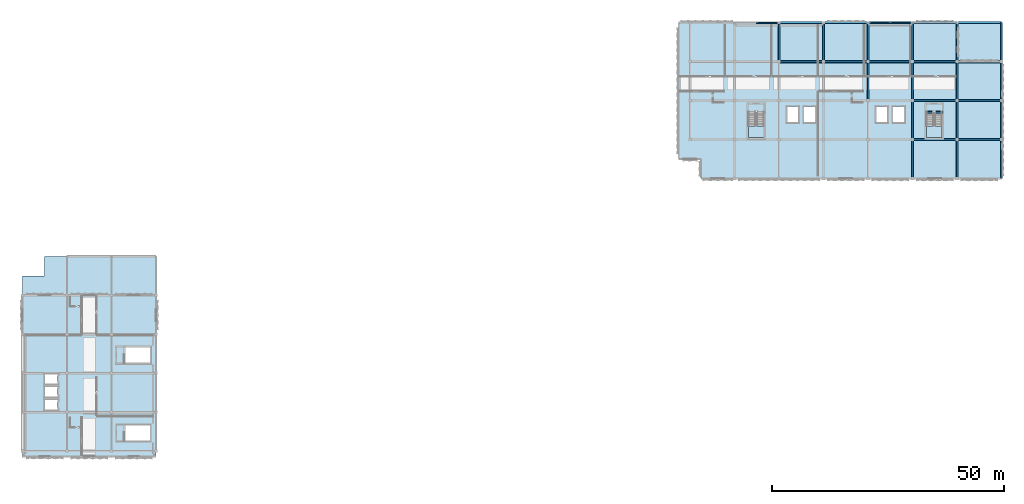
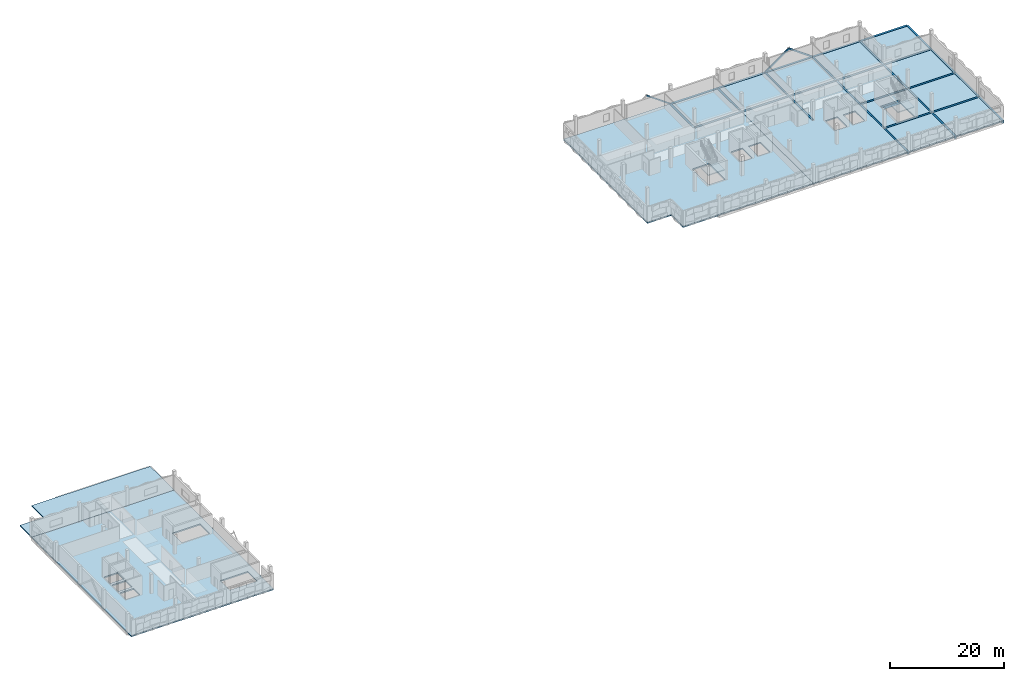
# One storey, part 4 of 18: 31 beams, 7 slabs, 3 members, 3 elements without a shape of their own.
"""IFC4 building model written with IfcOpenShell, lengths in metres."""

from ifc_helpers import new_model, si_unit, direction, frame, origin, origin_2d, place, context, subcontext, project, spatial, polyline, rectangle, hollow_rectangle, outline, extrude, material, layer, layer_set, material_profile, profile_set, type_object, element, aggregate, save


model = new_model("IFC4")

# Units and contexts
model_context = context("Model", 3, precision=1e-05, world=origin(), true_north=direction((0.0, 1.0)))
body_context = subcontext(model_context, "Body", "Model", "MODEL_VIEW")
ifc_project = project(units=[si_unit("LENGTHUNIT", "METRE"), si_unit("AREAUNIT", "SQUARE_METRE"), si_unit("VOLUMEUNIT", "CUBIC_METRE"), si_unit("PLANEANGLEUNIT", "RADIAN"), si_unit("MASSUNIT", "GRAM", prefix="KILO")], contexts=[model_context])

# Site, building, storey
site_placement = place(None, origin())
site = spatial("IfcSite", under=ifc_project, at=site_placement, CompositionType="ELEMENT")
building_placement = place(site_placement, origin())
building = spatial("IfcBuilding", under=site, at=building_placement, Name="Oolite Switchyard Hospital", CompositionType="ELEMENT")
storey_placement = place(building_placement, frame((0.0, 0.0, 26.199951171875)))
storey = spatial("IfcBuildingStorey", under=building, at=storey_placement, Name="L06", CompositionType="ELEMENT", Elevation=26.199951171875)

# Beams
ifc_material_1 = material(Name="Concrete C40/50", Category="concrete")
ifc_material_profile_1 = material_profile(ifc_material_1, rectangle(XDim=0.35009765625, YDim=0.550048828125, at=origin_2d()), Name="RCB350X550")
ifc_profile_set_1 = profile_set([ifc_material_profile_1], Name="Concrete C40/50")
beam_type_1 = type_object("IfcBeamType", Name="BM-RC350X550", PredefinedType="BEAM", material=ifc_profile_set_1)
for number, where, z_axis, x_axis, name in (
    (1, (163.199951171875, 126.0, -0.27490234375), (0.0, 1.0, 0.0), (-1.0, 0.0, 0.0), "L06 Y-Girder 3827"),
    (2, (172.800048828125, 126.0, -0.27490234375), (0.0, 1.0, 0.0), (-1.0, 0.0, 0.0), "L06 Y-Girder 3831"),
    (3, (182.39990234375, 117.60009765625, -0.27490234375), (0.0, 1.0, 0.0), (-1.0, 0.0, 0.0), "L06 Y-Girder 3834"),
    (4, (182.39990234375, 126.0, -0.27490234375), (0.0, 1.0, 0.0), (-1.0, 0.0, 0.0), "L06 Y-Girder 3835"),
    (5, (192.0, 100.800048828125, -0.27490234375), (0.0, 1.0, 0.0), (-1.0, 0.0, 0.0), "L06 Y-Girder 3836"),
):
    element("IfcBeam", number, at=place(storey_placement, frame(where, z_axis=z_axis, x_axis=x_axis)), inside=storey, type_object=beam_type_1, Name=name, PredefinedType="BEAM", context=body_context, shape_type="SweptSolid", body=[
        extrude(rectangle(XDim=0.35009765625, YDim=0.550048828125, at=origin_2d()), origin(), (0.0, 0.0, 1.0), 8.39990234375),
    ])
beam_1_placement = place(storey_placement, frame((192.0, 109.199951171875, -0.27490234375), z_axis=(0.0, 1.0, 0.0), x_axis=(-1.0, 0.0, 0.0)))
element("IfcBeam", 6, at=beam_1_placement, inside=storey, type_object=beam_type_1, Name="L06 Y-Girder 3837", PredefinedType="BEAM", context=body_context, shape_type="SweptSolid", body=[
    extrude(rectangle(XDim=0.35009765625, YDim=0.550048828125, at=origin_2d()), origin(), (0.0, 0.0, 1.0), 8.400146484375),
])
for number, where, z_axis, x_axis, name in (
    (7, (192.0, 117.60009765625, -0.27490234375), (0.0, 1.0, 0.0), (-1.0, 0.0, 0.0), "L06 Y-Girder 3838"),
    (8, (192.0, 126.0, -0.27490234375), (0.0, 1.0, 0.0), (-1.0, 0.0, 0.0), "L06 Y-Girder 3839"),
    (9, (201.60009765625, 100.800048828125, -0.27490234375), (0.0, 1.0, 0.0), (-1.0, 0.0, 0.0), "L06 Y-Girder 3840"),
):
    element("IfcBeam", number, at=place(storey_placement, frame(where, z_axis=z_axis, x_axis=x_axis)), inside=storey, type_object=beam_type_1, Name=name, PredefinedType="BEAM", context=body_context, shape_type="SweptSolid", body=[
        extrude(rectangle(XDim=0.35009765625, YDim=0.550048828125, at=origin_2d()), origin(), (0.0, 0.0, 1.0), 8.39990234375),
    ])
beam_2_placement = place(storey_placement, frame((201.60009765625, 109.199951171875, -0.27490234375), z_axis=(0.0, 1.0, 0.0), x_axis=(-1.0, 0.0, 0.0)))
element("IfcBeam", 10, at=beam_2_placement, inside=storey, type_object=beam_type_1, Name="L06 Y-Girder 3841", PredefinedType="BEAM", context=body_context, shape_type="SweptSolid", body=[
    extrude(rectangle(XDim=0.35009765625, YDim=0.550048828125, at=origin_2d()), origin(), (0.0, 0.0, 1.0), 8.400146484375),
])
for number, where, z_axis, x_axis, name in (
    (11, (201.60009765625, 117.60009765625, -0.27490234375), (0.0, 1.0, 0.0), (-1.0, 0.0, 0.0), "L06 Y-Girder 3842"),
    (12, (201.60009765625, 126.0, -0.27490234375), (0.0, 1.0, 0.0), (-1.0, 0.0, 0.0), "L06 Y-Girder 3843"),
):
    element("IfcBeam", number, at=place(storey_placement, frame(where, z_axis=z_axis, x_axis=x_axis)), inside=storey, type_object=beam_type_1, Name=name, PredefinedType="BEAM", context=body_context, shape_type="SweptSolid", body=[
        extrude(rectangle(XDim=0.35009765625, YDim=0.550048828125, at=origin_2d()), origin(), (0.0, 0.0, 1.0), 8.39990234375),
    ])
ifc_material_profile_2 = material_profile(ifc_material_1, rectangle(XDim=0.39990234375, YDim=0.60009765625, at=origin_2d()), Name="RCB400X600")
ifc_profile_set_2 = profile_set([ifc_material_profile_2], Name="Concrete C40/50")
beam_type_2 = type_object("IfcBeamType", Name="BM-RC400X600", PredefinedType="BEAM", material=ifc_profile_set_2)
beam_3_placement = place(storey_placement, frame((192.0, 109.199951171875, -0.300048828125), z_axis=(1.0, 0.0, 0.0), x_axis=(0.0, 1.0, 0.0)))
element("IfcBeam", 13, at=beam_3_placement, inside=storey, type_object=beam_type_2, Name="L06 X-Girder 3775", PredefinedType="BEAM", context=body_context, shape_type="SweptSolid", body=[
    extrude(rectangle(XDim=0.39990234375, YDim=0.60009765625, at=origin_2d()), origin(), (0.0, 0.0, 1.0), 9.60009765625),
])
beam_4_placement = place(storey_placement, frame((201.60009765625, 109.199951171875, -0.300048828125), z_axis=(1.0, 0.0, 0.0), x_axis=(0.0, 1.0, 0.0)))
element("IfcBeam", 14, at=beam_4_placement, inside=storey, type_object=beam_type_2, Name="L06 X-Girder 3776", PredefinedType="BEAM", context=body_context, shape_type="SweptSolid", body=[
    extrude(rectangle(XDim=0.39990234375, YDim=0.60009765625, at=origin_2d()), origin(), (0.0, 0.0, 1.0), 9.599853515625),
])
beam_5_placement = place(storey_placement, frame((192.0, 117.60009765625, -0.300048828125), z_axis=(1.0, 0.0, 0.0), x_axis=(0.0, 1.0, 0.0)))
element("IfcBeam", 15, at=beam_5_placement, inside=storey, type_object=beam_type_2, Name="L06 X-Girder 3782", PredefinedType="BEAM", context=body_context, shape_type="SweptSolid", body=[
    extrude(rectangle(XDim=0.39990234375, YDim=0.60009765625, at=origin_2d()), origin(), (0.0, 0.0, 1.0), 9.60009765625),
])
beam_6_placement = place(storey_placement, frame((201.60009765625, 117.60009765625, -0.300048828125), z_axis=(1.0, 0.0, 0.0), x_axis=(0.0, 1.0, 0.0)))
element("IfcBeam", 16, at=beam_6_placement, inside=storey, type_object=beam_type_2, Name="L06 X-Girder 3783", PredefinedType="BEAM", context=body_context, shape_type="SweptSolid", body=[
    extrude(rectangle(XDim=0.39990234375, YDim=0.60009765625, at=origin_2d()), origin(), (0.0, 0.0, 1.0), 9.599853515625),
])
beam_7_placement = place(storey_placement, frame((163.199951171875, 126.0, -0.300048828125), z_axis=(1.0, 0.0, 0.0), x_axis=(0.0, 1.0, 0.0)))
element("IfcBeam", 17, at=beam_7_placement, inside=storey, type_object=beam_type_2, Name="L06 X-Girder 3786", PredefinedType="BEAM", context=body_context, shape_type="SweptSolid", body=[
    extrude(rectangle(XDim=0.39990234375, YDim=0.60009765625, at=origin_2d()), origin(), (0.0, 0.0, 1.0), 9.60009765625),
])
beam_8_placement = place(storey_placement, frame((172.800048828125, 126.0, -0.300048828125), z_axis=(1.0, 0.0, 0.0), x_axis=(0.0, 1.0, 0.0)))
element("IfcBeam", 18, at=beam_8_placement, inside=storey, type_object=beam_type_2, Name="L06 X-Girder 3787", PredefinedType="BEAM", context=body_context, shape_type="SweptSolid", body=[
    extrude(rectangle(XDim=0.39990234375, YDim=0.60009765625, at=origin_2d()), origin(), (0.0, 0.0, 1.0), 9.599853515625),
])
for number, where, z_axis, x_axis, name in (
    (19, (182.39990234375, 126.0, -0.300048828125), (1.0, 0.0, 0.0), (0.0, 1.0, 0.0), "L06 X-Girder 3788"),
    (20, (192.0, 126.0, -0.300048828125), (1.0, 0.0, 0.0), (0.0, 1.0, 0.0), "L06 X-Girder 3789"),
):
    element("IfcBeam", number, at=place(storey_placement, frame(where, z_axis=z_axis, x_axis=x_axis)), inside=storey, type_object=beam_type_2, Name=name, PredefinedType="BEAM", context=body_context, shape_type="SweptSolid", body=[
        extrude(rectangle(XDim=0.39990234375, YDim=0.60009765625, at=origin_2d()), origin(), (0.0, 0.0, 1.0), 9.60009765625),
    ])
beam_9_placement = place(storey_placement, frame((201.60009765625, 126.0, -0.300048828125), z_axis=(1.0, 0.0, 0.0), x_axis=(0.0, 1.0, 0.0)))
element("IfcBeam", 21, at=beam_9_placement, inside=storey, type_object=beam_type_2, Name="L06 X-Girder 3790", PredefinedType="BEAM", context=body_context, shape_type="SweptSolid", body=[
    extrude(rectangle(XDim=0.39990234375, YDim=0.60009765625, at=origin_2d()), origin(), (0.0, 0.0, 1.0), 9.599853515625),
])
beam_10_placement = place(storey_placement, frame((211.199951171875, 100.800048828125, -0.300048828125), z_axis=(0.0, 1.0, 0.0), x_axis=(-1.0, 0.0, 0.0)))
element("IfcBeam", 22, at=beam_10_placement, inside=storey, type_object=beam_type_2, Name="L06 Y-Girder 3844", PredefinedType="BEAM", context=body_context, shape_type="SweptSolid", body=[
    extrude(rectangle(XDim=0.39990234375, YDim=0.60009765625, at=origin_2d()), origin(), (0.0, 0.0, 1.0), 8.39990234375),
])
beam_11_placement = place(storey_placement, frame((211.199951171875, 109.199951171875, -0.300048828125), z_axis=(0.0, 1.0, 0.0), x_axis=(-1.0, 0.0, 0.0)))
element("IfcBeam", 23, at=beam_11_placement, inside=storey, type_object=beam_type_2, Name="L06 Y-Girder 3845", PredefinedType="BEAM", context=body_context, shape_type="SweptSolid", body=[
    extrude(rectangle(XDim=0.39990234375, YDim=0.60009765625, at=origin_2d()), origin(), (0.0, 0.0, 1.0), 8.400146484375),
])
for number, where, z_axis, x_axis, name in (
    (24, (211.199951171875, 117.60009765625, -0.300048828125), (0.0, 1.0, 0.0), (-1.0, 0.0, 0.0), "L06 Y-Girder 3846"),
    (25, (211.199951171875, 126.0, -0.300048828125), (0.0, 1.0, 0.0), (-1.0, 0.0, 0.0), "L06 Y-Girder 3847"),
):
    element("IfcBeam", number, at=place(storey_placement, frame(where, z_axis=z_axis, x_axis=x_axis)), inside=storey, type_object=beam_type_2, Name=name, PredefinedType="BEAM", context=body_context, shape_type="SweptSolid", body=[
        extrude(rectangle(XDim=0.39990234375, YDim=0.60009765625, at=origin_2d()), origin(), (0.0, 0.0, 1.0), 8.39990234375),
    ])
beam_12_placement = place(storey_placement, frame((194.77490234375, 115.110107421875, -0.300048828125), z_axis=(1.0, 0.0, 0.0), x_axis=(0.0, 1.0, 0.0)))
element("IfcBeam", 26, at=beam_12_placement, inside=storey, type_object=beam_type_2, Name="L06 ST-04 Stair Throat Trimmer Beam", PredefinedType="BEAM", context=body_context, shape_type="SweptSolid", body=[
    extrude(rectangle(XDim=0.39990234375, YDim=0.60009765625, at=origin_2d()), origin(), (0.0, 0.0, 1.0), 3.81005859375),
])
ifc_material_profile_3 = material_profile(ifc_material_1, rectangle(XDim=0.449951171875, YDim=0.75, at=origin_2d()), Name="RCB450X750")
ifc_profile_set_3 = profile_set([ifc_material_profile_3], Name="Concrete C40/50")
beam_type_3 = type_object("IfcBeamType", Name="BM-RC450X750", PredefinedType="BEAM", material=ifc_profile_set_3)
beam_13_placement = place(storey_placement, frame((163.199951171875, 134.39990234375, -0.375), z_axis=(1.0, 0.0, 0.0), x_axis=(0.0, 1.0, 0.0)))
element("IfcBeam", 27, at=beam_13_placement, inside=storey, type_object=beam_type_3, Name="L06 X-Girder 3793", PredefinedType="BEAM", context=body_context, shape_type="SweptSolid", body=[
    extrude(rectangle(XDim=0.449951171875, YDim=0.75, at=origin_2d()), origin(), (0.0, 0.0, 1.0), 9.60009765625),
])
beam_14_placement = place(storey_placement, frame((172.800048828125, 134.39990234375, -0.375), z_axis=(1.0, 0.0, 0.0), x_axis=(0.0, 1.0, 0.0)))
element("IfcBeam", 28, at=beam_14_placement, inside=storey, type_object=beam_type_3, Name="L06 X-Girder 3794", PredefinedType="BEAM", context=body_context, shape_type="SweptSolid", body=[
    extrude(rectangle(XDim=0.449951171875, YDim=0.75, at=origin_2d()), origin(), (0.0, 0.0, 1.0), 9.599853515625),
])
for number, where, z_axis, x_axis, name in (
    (29, (182.39990234375, 134.39990234375, -0.375), (1.0, 0.0, 0.0), (0.0, 1.0, 0.0), "L06 X-Girder 3795"),
    (30, (192.0, 134.39990234375, -0.375), (1.0, 0.0, 0.0), (0.0, 1.0, 0.0), "L06 X-Girder 3796"),
):
    element("IfcBeam", number, at=place(storey_placement, frame(where, z_axis=z_axis, x_axis=x_axis)), inside=storey, type_object=beam_type_3, Name=name, PredefinedType="BEAM", context=body_context, shape_type="SweptSolid", body=[
        extrude(rectangle(XDim=0.449951171875, YDim=0.75, at=origin_2d()), origin(), (0.0, 0.0, 1.0), 9.60009765625),
    ])
beam_15_placement = place(storey_placement, frame((201.60009765625, 134.39990234375, -0.375), z_axis=(1.0, 0.0, 0.0), x_axis=(0.0, 1.0, 0.0)))
element("IfcBeam", 31, at=beam_15_placement, inside=storey, type_object=beam_type_3, Name="L06 X-Girder 3797", PredefinedType="BEAM", context=body_context, shape_type="SweptSolid", body=[
    extrude(rectangle(XDim=0.449951171875, YDim=0.75, at=origin_2d()), origin(), (0.0, 0.0, 1.0), 9.599853515625),
])

# Members
ifc_material_2 = material(Name="Steel ASTM A500 Grade C", Category="steel")
ifc_material_profile_4 = material_profile(ifc_material_2, hollow_rectangle(XDim=0.152099609375, YDim=0.25390625, WallThickness=0.012939453125, at=origin_2d()), Name="HSS254X152X13")
ifc_profile_set_4 = profile_set([ifc_material_profile_4], Name="Steel ASTM A500 Grade C")
member_type_1 = type_object("IfcMemberType", Name="MEM-BR-RHS254", PredefinedType="BRACE", material=ifc_profile_set_4)
member_placement = place(storey_placement, frame((163.199951171875, 134.39990234375, 0.02001953125), z_axis=(-0.813627204479, 0.0, 0.581386938392), x_axis=(0.0, -1.0, 0.0)))
element("IfcMember", 32, at=member_placement, inside=storey, type_object=member_type_1, Name="L06 Chevron Brace 42", PredefinedType="BRACE", context=body_context, shape_type="SweptSolid", body=[
    extrude(hollow_rectangle(XDim=0.152099609375, YDim=0.25390625, WallThickness=0.012939453125, at=origin_2d()), origin(), (0.0, 0.0, 1.0), 5.899658203125),
])
ifc_material_profile_5 = material_profile(ifc_material_2, hollow_rectangle(XDim=0.202880859375, YDim=0.304931640625, WallThickness=0.012939453125, at=origin_2d()), Name="HSS305X203X13")
ifc_profile_set_5 = profile_set([ifc_material_profile_5], Name="Steel ASTM A500 Grade C")
member_type_2 = type_object("IfcMemberType", Name="MEM-BR-RHS305", PredefinedType="BRACE", material=ifc_profile_set_5)
for number, where, z_axis, x_axis, name in (
    (33, (182.39990234375, 134.39990234375, 0.02001953125), (0.813627204479, 0.0, 0.581386938392), (0.0, 1.0, 0.0), "L06 Chevron Brace 57"),
    (34, (192.0, 134.39990234375, 0.02001953125), (-0.813627204479, 0.0, 0.581386938392), (0.0, -1.0, 0.0), "L06 Chevron Brace 58"),
):
    element("IfcMember", number, at=place(storey_placement, frame(where, z_axis=z_axis, x_axis=x_axis)), inside=storey, type_object=member_type_2, Name=name, PredefinedType="BRACE", context=body_context, shape_type="SweptSolid", body=[
        extrude(hollow_rectangle(XDim=0.202880859375, YDim=0.304931640625, WallThickness=0.012939453125, at=origin_2d()), origin(), (0.0, 0.0, 1.0), 5.899658203125),
    ])

# Slabs
ifc_layer_1 = layer(ifc_material_1, 0.27490234375)
ifc_layer_set_1 = layer_set([ifc_layer_1], Name="SLB-FLR-275")
slab_type_1 = type_object("IfcSlabType", Name="SLB-FLR-275", PredefinedType="FLOOR", material=ifc_layer_set_1)
slab_1_placement = place(storey_placement, frame((0.0, 0.0, -0.27490234375)))
element("IfcSlab", 35, at=slab_1_placement, inside=storey, type_object=slab_type_1, Name="L06 V5W Slab V5W", PredefinedType="FLOOR", context=body_context, shape_type="SweptSolid", body=[
    extrude(outline(polyline([(0.0, 40.800048828125), (28.800048828125, 40.800048828125), (28.800048828125, 75.60009765625), (0.0, 75.60009765625), (0.0, 40.800048828125)]), holes=[polyline([(21.9599609375, 44.199951171875), (27.550048828125, 44.199951171875), (27.550048828125, 47.56005859375), (21.9599609375, 47.56005859375), (21.9599609375, 44.199951171875)]), polyline([(21.9599609375, 61.0), (27.550048828125, 61.0), (27.550048828125, 64.360107421875), (21.9599609375, 64.360107421875), (21.9599609375, 61.0)]), polyline([(4.800048828125, 50.89990234375), (7.60009765625, 50.89990234375), (7.60009765625, 53.10009765625), (4.800048828125, 53.10009765625), (4.800048828125, 50.89990234375)]), polyline([(4.800048828125, 53.699951171875), (7.60009765625, 53.699951171875), (7.60009765625, 55.89990234375), (4.800048828125, 55.89990234375), (4.800048828125, 53.699951171875)]), polyline([(4.800048828125, 56.5), (7.60009765625, 56.5), (7.60009765625, 58.699951171875), (4.800048828125, 58.699951171875), (4.800048828125, 56.5)])]), origin(), (0.0, 0.0, 1.0), 0.27490234375),
])
slab_2_placement = place(storey_placement, frame((0.0, 0.0, -0.27490234375)))
element("IfcSlab", 36, at=slab_2_placement, inside=storey, type_object=slab_type_1, Name="L06 V5E Slab V5E1", PredefinedType="FLOOR", context=body_context, shape_type="SweptSolid", body=[
    extrude(outline(polyline([(146.39990234375, 100.800048828125), (172.800048828125, 100.800048828125), (172.800048828125, 134.39990234375), (141.60009765625, 134.39990234375), (141.60009765625, 105.0), (146.39990234375, 105.0), (146.39990234375, 100.800048828125)]), holes=[polyline([(156.60009765625, 115.18994140625), (156.60009765625, 109.60009765625), (159.9599609375, 109.60009765625), (159.9599609375, 115.18994140625), (156.60009765625, 115.18994140625)]), polyline([(165.0, 112.89990234375), (167.39990234375, 112.89990234375), (167.39990234375, 116.300048828125), (165.0, 116.300048828125), (165.0, 112.89990234375)]), polyline([(168.60009765625, 112.89990234375), (171.0, 112.89990234375), (171.0, 116.300048828125), (168.60009765625, 116.300048828125), (168.60009765625, 112.89990234375)])]), origin(), (0.0, 0.0, 1.0), 0.27490234375),
])
slab_3_placement = place(storey_placement, frame((0.0, 0.0, -0.27490234375)))
element("IfcSlab", 37, at=slab_3_placement, inside=storey, type_object=slab_type_1, Name="L06 V5E Slab V5E2", PredefinedType="FLOOR", context=body_context, shape_type="SweptSolid", body=[
    extrude(outline(polyline([(172.800048828125, 100.800048828125), (211.199951171875, 100.800048828125), (211.199951171875, 126.0), (201.60009765625, 126.0), (201.60009765625, 134.39990234375), (172.800048828125, 134.39990234375), (172.800048828125, 100.800048828125)]), holes=[polyline([(195.0, 115.18994140625), (195.0, 109.60009765625), (198.360107421875, 109.60009765625), (198.360107421875, 115.18994140625), (195.0, 115.18994140625)]), polyline([(184.199951171875, 112.89990234375), (186.60009765625, 112.89990234375), (186.60009765625, 116.300048828125), (184.199951171875, 116.300048828125), (184.199951171875, 112.89990234375)]), polyline([(187.800048828125, 112.89990234375), (190.199951171875, 112.89990234375), (190.199951171875, 116.300048828125), (187.800048828125, 116.300048828125), (187.800048828125, 112.89990234375)])]), origin(), (0.0, 0.0, 1.0), 0.27490234375),
])

# Stair, slab
stair_type = type_object("IfcStairType", Name="STR-DL-156-R24", PredefinedType="HALF_TURN_STAIR", material=ifc_material_1)
stair_1_placement = place(storey_placement, origin())
stair_1 = element("IfcStair", 38, at=stair_1_placement, inside=storey, type_object=stair_type, Name="L06 Exit Stair ST-03", PredefinedType="HALF_TURN_STAIR")
ifc_layer_2 = layer(ifc_material_1, 0.199951171875)
ifc_layer_set_2 = layer_set([ifc_layer_2], Name="SLB-LND-200")
slab_type_2 = type_object("IfcSlabType", Name="SLB-LND-200", PredefinedType="LANDING", material=ifc_layer_set_2)
slab_4_placement = place(storey_placement, frame((0.0, 0.0, 1.900146484375)))
slab_4 = element("IfcSlab", 39, at=slab_4_placement, type_object=slab_type_2, Name="ST-03 landing 1", PredefinedType="LANDING", context=body_context, shape_type="SweptSolid", body=[
    extrude(outline(polyline([(156.60009765625, 112.110107421875), (156.60009765625, 109.60009765625), (159.9599609375, 109.60009765625), (159.9599609375, 112.110107421875), (156.60009765625, 112.110107421875)])), origin(), (0.0, 0.0, 1.0), 0.199951171875),
])
aggregate(stair_1, [slab_4])

stair_2_placement = place(storey_placement, origin())
stair_2 = element("IfcStair", 40, at=stair_2_placement, inside=storey, type_object=stair_type, Name="L06 Exit Stair ST-04", PredefinedType="HALF_TURN_STAIR")
slab_5_placement = place(storey_placement, frame((0.0, 0.0, 1.900146484375)))
slab_5 = element("IfcSlab", 41, at=slab_5_placement, type_object=slab_type_2, Name="ST-04 landing 1", PredefinedType="LANDING", context=body_context, shape_type="SweptSolid", body=[
    extrude(outline(polyline([(195.0, 112.110107421875), (195.0, 109.60009765625), (198.360107421875, 109.60009765625), (198.360107421875, 112.110107421875), (195.0, 112.110107421875)])), origin(), (0.0, 0.0, 1.0), 0.199951171875),
])
aggregate(stair_2, [slab_5])

# Roof, slabs
roof_type = type_object("IfcRoofType", Name="ROOF-FLAT", PredefinedType="FLAT_ROOF", material=ifc_material_1)
roof_placement = place(storey_placement, origin())
roof = element("IfcRoof", 42, at=roof_placement, inside=storey, type_object=roof_type, Name="L06 Flat Cool Roof Assembly", PredefinedType="FLAT_ROOF")
ifc_layer_3 = layer(ifc_material_1, 0.219970703125)
ifc_layer_set_3 = layer_set([ifc_layer_3], Name="SLB-ROOF-220")
slab_type_3 = type_object("IfcSlabType", Name="SLB-ROOF-220", PredefinedType="ROOF", material=ifc_layer_set_3)
slab_6_placement = place(storey_placement, frame((0.0, 0.0, -0.219970703125)))
slab_6 = element("IfcSlab", 43, at=slab_6_placement, type_object=slab_type_3, Name="L06 V5W Slab V5WNR", PredefinedType="ROOF", context=body_context, shape_type="SweptSolid", body=[
    extrude(outline(polyline([(0.0, 75.60009765625), (28.800048828125, 75.60009765625), (28.800048828125, 84.0), (4.800048828125, 84.0), (4.800048828125, 79.800048828125), (0.0, 79.800048828125), (0.0, 75.60009765625)])), origin(), (0.0, 0.0, 1.0), 0.219970703125),
])
slab_7_placement = place(storey_placement, frame((0.0, 0.0, -0.219970703125)))
slab_7 = element("IfcSlab", 44, at=slab_7_placement, type_object=slab_type_3, Name="L06 V5E Slab V5ENR", PredefinedType="ROOF", context=body_context, shape_type="SweptSolid", body=[
    extrude(outline(polyline([(201.60009765625, 126.0), (211.199951171875, 126.0), (211.199951171875, 134.39990234375), (201.60009765625, 134.39990234375), (201.60009765625, 126.0)])), origin(), (0.0, 0.0, 1.0), 0.219970703125),
])
aggregate(roof, [slab_6, slab_7])

save(model, "model.ifc")
